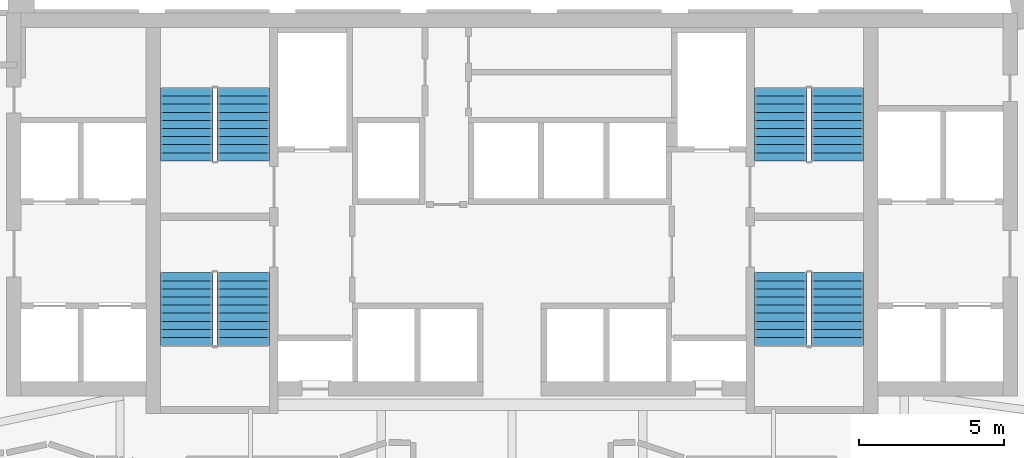
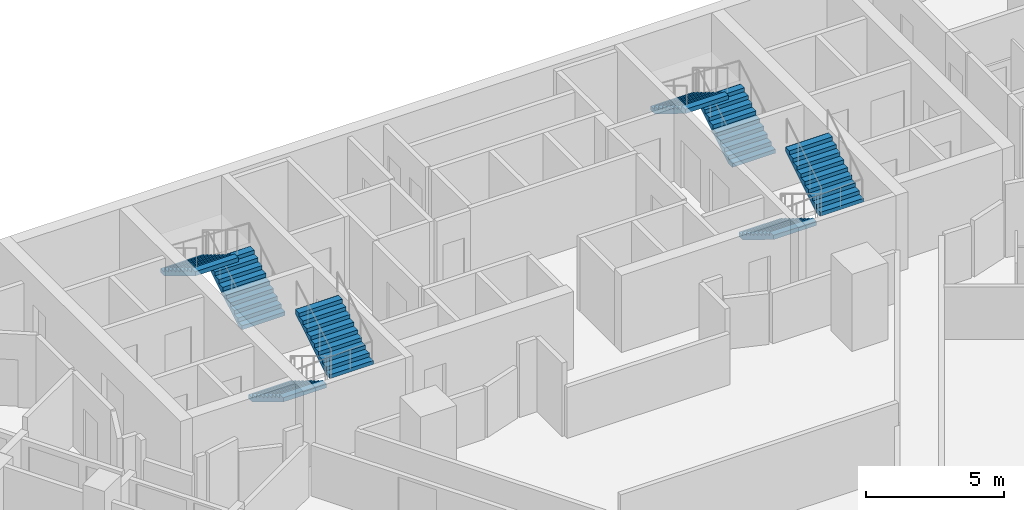
# One storey, part 10 of 11: 8 stair flights, 4 elements without a shape of their own.
"""IFC4 building model written with IfcOpenShell, lengths in metres."""

import ifcopenshell
import ifcopenshell.guid

model = None  # the IFC model being written
_history = None  # IfcOwnerHistory: only IFC2X3 demands one
_inside = {}  # id of a spatial element -> (the spatial element, [elements in it])
_under = {}  # id of a project, library or spatial element -> (it, [spatial elements below it])
_declared = {}  # id of a project -> (the project, [libraries it declares])
_typed = {}  # id of a type object -> (the type object, [elements of that type])
_made_of = {}  # id of a material, layer set ... -> (it, [elements and type objects made of it])


def new_model(schema):
    """Start an empty IFC model of exactly this schema.

    Asked for "IFC4X3", IfcOpenShell would pick the latest addendum, in which some entities
    have other attributes; the version numbers below select the first issue.
    IFC2X3 requires an IfcOwnerHistory on every rooted entity: one is made here for all.
    """
    global model, _history
    if schema == "IFC4X3":
        model = ifcopenshell.file(schema_version=(4, 3, 0, 0))
    else:
        model = ifcopenshell.file(schema=schema)
    _inside.clear()
    _under.clear()
    _declared.clear()
    _typed.clear()
    _made_of.clear()
    _history = None
    if model.schema == "IFC2X3":
        org = make("IfcOrganization", Name="unknown")
        user = make(
            "IfcPersonAndOrganization",
            ThePerson=make("IfcPerson", FamilyName="unknown"),
            TheOrganization=org,
        )
        app = make(
            "IfcApplication",
            ApplicationDeveloper=org,
            Version="unknown",
            ApplicationFullName="unknown",
            ApplicationIdentifier="unknown",
        )
        _history = make(
            "IfcOwnerHistory",
            OwningUser=user,
            OwningApplication=app,
            ChangeAction="ADDED",
            CreationDate=0,
        )
    return model


def make(cls, **values):
    """One entity of the class cls with the attributes given. An attribute that is None is left unset."""
    return model.create_entity(
        cls, **{name: value for name, value in values.items() if value is not None}
    )


def rooted(cls, **values):
    """An entity with a GlobalId (a new one), such as an element, a storey or a relation."""
    return make(cls, GlobalId=ifcopenshell.guid.new(), OwnerHistory=_history, **values)


def si_unit(unit_type, name, prefix=None):
    """IfcSIUnit, for example si_unit("LENGTHUNIT", "METRE", prefix="MILLI")."""
    return make("IfcSIUnit", UnitType=unit_type, Prefix=prefix, Name=name)


def assignment(units):
    """IfcUnitAssignment: the units of a project."""
    return None if units is None else make("IfcUnitAssignment", Units=units)


def point(xyz):
    """IfcCartesianPoint."""
    return None if xyz is None else make("IfcCartesianPoint", Coordinates=xyz)


def direction(xyz):
    """IfcDirection."""
    return None if xyz is None else make("IfcDirection", DirectionRatios=xyz)


def frame(location, z_axis=None, x_axis=None):
    """IfcAxis2Placement3D, a coordinate frame: its origin and axes. An axis left out is left unset."""
    return make(
        "IfcAxis2Placement3D",
        Location=point(location),
        Axis=direction(z_axis),
        RefDirection=direction(x_axis),
    )


def origin():
    """The frame at (0, 0, 0) with its axes left unset."""
    return frame((0.0, 0.0, 0.0))


def place(relative_to, where):
    """IfcLocalPlacement: puts the frame where relative to a parent placement (None: the world)."""
    return make(
        "IfcLocalPlacement", PlacementRelTo=relative_to, RelativePlacement=where
    )


def context(
    kind, dimensions, precision=None, world=None, true_north=None, identifier=None
):
    """IfcGeometricRepresentationContext, for example the 3D "Model" context."""
    return make(
        "IfcGeometricRepresentationContext",
        ContextIdentifier=identifier,
        ContextType=kind,
        CoordinateSpaceDimension=dimensions,
        Precision=precision,
        WorldCoordinateSystem=world,
        TrueNorth=true_north,
    )


def subcontext(parent, identifier, kind, view, scale=None):
    """IfcGeometricRepresentationSubContext, for example "Body" below "Model"."""
    return make(
        "IfcGeometricRepresentationSubContext",
        ContextIdentifier=identifier,
        ContextType=kind,
        ParentContext=parent,
        TargetScale=scale,
        TargetView=view,
    )


def project(units=None, contexts=None):
    """IfcProject with its units and contexts."""
    return rooted(
        "IfcProject",
        Name="project",
        RepresentationContexts=contexts,
        UnitsInContext=assignment(units),
    )


def spatial(cls, under=None, at=None, **own):
    """A site, building, storey or space (cls), placed at a placement, below another one or the project."""
    s = rooted(cls, ObjectPlacement=at, **own)
    if under is not None:
        _under.setdefault(under.id(), (under, []))[1].append(s)
    return s


def faces_of(points, faces, orient=None, outer=None):
    """IfcFace entities. A face is a list of loops; a loop is a list of indices into points, from 0.

    orient and outer hold one flag for each loop. By default every Orientation is true, the
    first loop of a face is its IfcFaceOuterBound and the others are IfcFaceBound.
    """
    made = []
    for i, loops in enumerate(faces):
        bounds = []
        for j, loop in enumerate(loops):
            is_outer = j == 0 if outer is None else outer[i][j]
            bounds.append(
                make(
                    "IfcFaceOuterBound" if is_outer else "IfcFaceBound",
                    Bound=make("IfcPolyLoop", Polygon=[points[k] for k in loop]),
                    Orientation=True if orient is None else orient[i][j],
                )
            )
        made.append(make("IfcFace", Bounds=bounds))
    return made


def faceted_brep(points, faces, orient=None, outer=None, voids=None):
    """IfcFacetedBrep: a solid bounded by flat faces; with voids (closed shells), ...WithVoids."""
    shared = [point(p) for p in points]
    hull = make("IfcClosedShell", CfsFaces=faces_of(shared, faces, orient, outer))
    if voids is None:
        return make("IfcFacetedBrep", Outer=hull)
    return make(
        "IfcFacetedBrepWithVoids",
        Outer=hull,
        Voids=[
            make(cls, CfsFaces=faces_of(shared, fs, o, b)) for cls, fs, o, b in voids
        ],
    )


def shape(context_of_items, identifier, shape_type, items):
    """IfcShapeRepresentation: the items that make up one representation, for example the "Body"."""
    return make(
        "IfcShapeRepresentation",
        ContextOfItems=context_of_items,
        RepresentationIdentifier=identifier,
        RepresentationType=shape_type,
        Items=items,
    )


def source(mapping_origin, context_of_items, identifier, shape_type, items):
    """IfcRepresentationMap: a shape defined once, which mapped items show again and again."""
    return make(
        "IfcRepresentationMap",
        MappingOrigin=mapping_origin,
        MappedRepresentation=shape(context_of_items, identifier, shape_type, items),
    )


def transform(
    local_origin,
    x_axis=None,
    y_axis=None,
    z_axis=None,
    scale=None,
    scale2=None,
    scale3=None,
    uniform=True,
):
    """IfcCartesianTransformationOperator3D, or its non-uniform kind. x_axis, y_axis, z_axis: its Axis1, 2, 3."""
    if uniform:
        return make(
            "IfcCartesianTransformationOperator3D",
            Axis1=direction(x_axis),
            Axis2=direction(y_axis),
            LocalOrigin=point(local_origin),
            Scale=scale,
            Axis3=direction(z_axis),
        )
    return make(
        "IfcCartesianTransformationOperator3DnonUniform",
        Axis1=direction(x_axis),
        Axis2=direction(y_axis),
        LocalOrigin=point(local_origin),
        Scale=scale,
        Axis3=direction(z_axis),
        Scale2=scale2,
        Scale3=scale3,
    )


def mapped(mapping_source, mapping_target):
    """IfcMappedItem: shows the shape of a source again, moved by a transform."""
    return make(
        "IfcMappedItem", MappingSource=mapping_source, MappingTarget=mapping_target
    )


def material(Name=None, Category=None):
    """IfcMaterial."""
    return make("IfcMaterial", Name=Name, Category=Category)


def made_of(thing, what):
    """Note that an element or type object is made of a material, layer set ...; save() writes the relation."""
    if what is not None:
        _made_of.setdefault(what.id(), (what, []))[1].append(thing)
    return thing


def type_object(cls, material=None, **own):
    """A type object (cls), such as IfcWallType, which elements share."""
    return made_of(rooted(cls, **own), material)


def element(
    cls,
    number,
    at=None,
    inside=None,
    cuts=None,
    type_object=None,
    material=None,
    context=None,
    identifier="Body",
    shape_type=None,
    held_by="IfcProductDefinitionShape",
    body=None,
    shapes=None,
    **own,
):
    """One element of the class cls, such as IfcWall. Its Tag is "e" and its number.

    at: its placement. inside: the storey or other place that contains it. cuts: it is an
    opening in that element (IfcRelVoidsElement). A single representation is given by context,
    identifier, shape_type and body (its items); several are given by shapes. held_by: the class
    of the entity that holds the representations. save() writes the other relations.
    """
    e = rooted(cls, Tag="e%d" % number, ObjectPlacement=at, **own)
    if body is not None:
        shapes = [shape(context, identifier, shape_type, body)]
    if shapes is not None:
        e.Representation = make(held_by, Representations=shapes)
    if inside is not None:
        _inside.setdefault(inside.id(), (inside, []))[1].append(e)
    if cuts is not None:
        rooted(
            "IfcRelVoidsElement", RelatingBuildingElement=cuts, RelatedOpeningElement=e
        )
    if type_object is not None:
        _typed.setdefault(type_object.id(), (type_object, []))[1].append(e)
    return made_of(e, material)


def aggregate(whole, parts):
    """IfcRelAggregates: a whole, such as a stair, and the parts it consists of."""
    return rooted("IfcRelAggregates", RelatingObject=whole, RelatedObjects=parts)


def save(model, path):
    """Write the relations noted so far, then the file.

    IfcRelAggregates (storeys below a building ...), IfcRelContainedInSpatialStructure (elements
    in a storey), IfcRelDefinesByType, IfcRelAssociatesMaterial and IfcRelDeclares: one each for
    every whole, place, type object, material and project.
    """
    for whole, parts in _under.values():
        aggregate(whole, parts)
    for where, things in _inside.values():
        rooted(
            "IfcRelContainedInSpatialStructure",
            RelatedElements=things,
            RelatingStructure=where,
        )
    for kind, things in _typed.values():
        rooted("IfcRelDefinesByType", RelatedObjects=things, RelatingType=kind)
    for what, things in _made_of.values():
        rooted("IfcRelAssociatesMaterial", RelatedObjects=things, RelatingMaterial=what)
    for by, libraries in _declared.values():
        rooted("IfcRelDeclares", RelatingContext=by, RelatedDefinitions=libraries)
    model.write(path)


model = new_model("IFC4")

# Units and contexts
model_context = context("Model", 3, precision=1e-05, world=origin(), true_north=direction((0.0, 1.0)))
body_context = subcontext(model_context, "Body", "Model", "MODEL_VIEW")
ifc_project = project(units=[si_unit("LENGTHUNIT", "METRE"), si_unit("AREAUNIT", "SQUARE_METRE"), si_unit("VOLUMEUNIT", "CUBIC_METRE"), si_unit("PLANEANGLEUNIT", "RADIAN"), si_unit("MASSUNIT", "GRAM", prefix="KILO")], contexts=[model_context])

# Site, building, storey
site_placement = place(None, origin())
site = spatial("IfcSite", under=ifc_project, at=site_placement, CompositionType="ELEMENT")
building_placement = place(site_placement, origin())
building = spatial("IfcBuilding", under=site, at=building_placement, Name="Calabash Gate Tower", CompositionType="ELEMENT")
storey_placement = place(building_placement, frame((0.0, 0.0, 125.800048828125)))
storey = spatial("IfcBuildingStorey", under=building, at=storey_placement, Name="L29", CompositionType="ELEMENT", Elevation=125.800048828125)

# Stair, stair flights
ifc_material_1 = material(Name="Concrete C40/50", Category="concrete")
stair_type = type_object("IfcStairType", Name="Exit stair 20 risers of 170 mm", PredefinedType="HALF_TURN_STAIR", material=ifc_material_1)
stair_1_placement = place(storey_placement, origin())
stair_1 = element("IfcStair", 1, at=stair_1_placement, inside=storey, type_object=stair_type, Name="L29 Exit stair ST1", PredefinedType="HALF_TURN_STAIR")
ifc_material_2 = material(Name="Concrete C40/50", Category="concrete")
stair_flight_type = type_object("IfcStairFlightType", Name="Exit stair flight SFL", PredefinedType="STRAIGHT", material=ifc_material_2)
shared_shape = source(origin(), body_context, "Body", "Brep", [
    faceted_brep([(-0.0009765625, -0.89990234375, 0.0), (0.2880859375, -0.89990234375, 0.0), (2.511962890625, -0.89990234375, 1.3544921875), (-0.0009765625, 0.89990234375, 0.0), (2.511962890625, 0.89990234375, 1.3544921875), (0.2880859375, 0.89990234375, 0.0), (2.511962890625, -0.89990234375, 1.5419921875), (2.510986328125, -0.89990234375, 1.5419921875), (2.510986328125, 0.89990234375, 1.5419921875), (2.511962890625, 0.89990234375, 1.5419921875), (2.510986328125, -0.89990234375, 1.530029296875), (2.510986328125, 0.89990234375, 1.530029296875), (2.23193359375, -0.89990234375, 1.530029296875), (2.23193359375, 0.89990234375, 1.530029296875), (2.23193359375, -0.89990234375, 1.360107421875), (2.23193359375, 0.89990234375, 1.360107421875), (1.952880859375, -0.89990234375, 1.360107421875), (1.952880859375, 0.89990234375, 1.360107421875), (1.952880859375, -0.89990234375, 1.18994140625), (1.952880859375, 0.89990234375, 1.18994140625), (1.674072265625, -0.89990234375, 1.18994140625), (1.674072265625, -0.89990234375, 1.02001953125), (1.674072265625, 0.89990234375, 1.02001953125), (1.674072265625, 0.89990234375, 1.18994140625), (1.39501953125, -0.89990234375, 1.02001953125), (1.39501953125, -0.89990234375, 0.85009765625), (1.39501953125, 0.89990234375, 0.85009765625), (1.39501953125, 0.89990234375, 1.02001953125), (1.115966796875, -0.89990234375, 0.85009765625), (1.115966796875, -0.89990234375, 0.679931640625), (1.115966796875, 0.89990234375, 0.679931640625), (1.115966796875, 0.89990234375, 0.85009765625), (0.8369140625, -0.89990234375, 0.679931640625), (0.8369140625, -0.89990234375, 0.510009765625), (0.8369140625, 0.89990234375, 0.510009765625), (0.8369140625, 0.89990234375, 0.679931640625), (0.55810546875, -0.89990234375, 0.510009765625), (0.55810546875, -0.89990234375, 0.340087890625), (0.55810546875, 0.89990234375, 0.340087890625), (0.55810546875, 0.89990234375, 0.510009765625), (0.279052734375, -0.89990234375, 0.340087890625), (0.279052734375, -0.89990234375, 0.169921875), (0.279052734375, 0.89990234375, 0.169921875), (0.279052734375, 0.89990234375, 0.340087890625), (-0.0009765625, -0.89990234375, 0.169921875), (-0.0009765625, 0.89990234375, 0.169921875), (0.2880859375, -0.360107421875, 0.0), (2.511962890625, -0.360107421875, 1.3544921875), (0.2880859375, -0.179931640625, 0.0), (2.511962890625, -0.179931640625, 1.3544921875), (0.2880859375, 0.0, 0.0), (2.511962890625, 0.0, 1.3544921875), (0.2880859375, 0.179931640625, 0.0), (2.511962890625, 0.179931640625, 1.3544921875), (0.2880859375, 0.360107421875, 0.0), (2.511962890625, 0.360107421875, 1.3544921875), (2.511962890625, -0.360107421875, 1.5419921875), (2.511962890625, -0.179931640625, 1.5419921875), (2.511962890625, 0.0, 1.5419921875), (2.511962890625, 0.179931640625, 1.5419921875), (2.511962890625, 0.360107421875, 1.5419921875), (2.510986328125, -0.360107421875, 1.5419921875), (2.510986328125, -0.179931640625, 1.5419921875), (2.510986328125, 0.0, 1.5419921875), (2.510986328125, 0.179931640625, 1.5419921875), (2.510986328125, 0.360107421875, 1.5419921875), (2.510986328125, -0.360107421875, 1.530029296875), (2.510986328125, -0.179931640625, 1.530029296875), (2.510986328125, 0.0, 1.530029296875), (2.510986328125, 0.179931640625, 1.530029296875), (2.510986328125, 0.360107421875, 1.530029296875), (2.23193359375, -0.360107421875, 1.530029296875), (2.23193359375, -0.179931640625, 1.530029296875), (2.23193359375, 0.0, 1.530029296875), (2.23193359375, 0.179931640625, 1.530029296875), (2.23193359375, 0.360107421875, 1.530029296875), (2.23193359375, -0.360107421875, 1.360107421875), (2.23193359375, -0.179931640625, 1.360107421875), (2.23193359375, 0.0, 1.360107421875), (2.23193359375, 0.179931640625, 1.360107421875), (2.23193359375, 0.360107421875, 1.360107421875), (1.952880859375, -0.360107421875, 1.360107421875), (1.952880859375, -0.179931640625, 1.360107421875), (1.952880859375, 0.0, 1.360107421875), (1.952880859375, 0.179931640625, 1.360107421875), (1.952880859375, 0.360107421875, 1.360107421875), (1.952880859375, -0.360107421875, 1.18994140625), (1.952880859375, -0.179931640625, 1.18994140625), (1.952880859375, 0.0, 1.18994140625), (1.952880859375, 0.179931640625, 1.18994140625), (1.952880859375, 0.360107421875, 1.18994140625), (1.674072265625, -0.360107421875, 1.18994140625), (1.674072265625, -0.179931640625, 1.18994140625), (1.674072265625, 0.0, 1.18994140625), (1.674072265625, 0.179931640625, 1.18994140625), (1.674072265625, 0.360107421875, 1.18994140625), (1.674072265625, -0.360107421875, 1.02001953125), (1.674072265625, -0.179931640625, 1.02001953125), (1.674072265625, 0.0, 1.02001953125), (1.674072265625, 0.179931640625, 1.02001953125), (1.674072265625, 0.360107421875, 1.02001953125), (1.39501953125, -0.360107421875, 1.02001953125), (1.39501953125, -0.179931640625, 1.02001953125), (1.39501953125, 0.0, 1.02001953125), (1.39501953125, 0.179931640625, 1.02001953125), (1.39501953125, 0.360107421875, 1.02001953125), (1.39501953125, -0.360107421875, 0.85009765625), (1.39501953125, -0.179931640625, 0.85009765625), (1.39501953125, 0.0, 0.85009765625), (1.39501953125, 0.179931640625, 0.85009765625), (1.39501953125, 0.360107421875, 0.85009765625), (1.115966796875, -0.360107421875, 0.85009765625), (1.115966796875, -0.179931640625, 0.85009765625), (1.115966796875, 0.0, 0.85009765625), (1.115966796875, 0.179931640625, 0.85009765625), (1.115966796875, 0.360107421875, 0.85009765625), (1.115966796875, -0.360107421875, 0.679931640625), (1.115966796875, -0.179931640625, 0.679931640625), (1.115966796875, 0.0, 0.679931640625), (1.115966796875, 0.179931640625, 0.679931640625), (1.115966796875, 0.360107421875, 0.679931640625), (0.8369140625, -0.360107421875, 0.679931640625), (0.8369140625, -0.179931640625, 0.679931640625), (0.8369140625, 0.0, 0.679931640625), (0.8369140625, 0.179931640625, 0.679931640625), (0.8369140625, 0.360107421875, 0.679931640625), (0.8369140625, -0.360107421875, 0.510009765625), (0.8369140625, -0.179931640625, 0.510009765625), (0.8369140625, 0.0, 0.510009765625), (0.8369140625, 0.179931640625, 0.510009765625), (0.8369140625, 0.360107421875, 0.510009765625), (0.55810546875, -0.360107421875, 0.510009765625), (0.55810546875, -0.179931640625, 0.510009765625), (0.55810546875, 0.0, 0.510009765625), (0.55810546875, 0.179931640625, 0.510009765625), (0.55810546875, 0.360107421875, 0.510009765625), (0.55810546875, -0.360107421875, 0.340087890625), (0.55810546875, -0.179931640625, 0.340087890625), (0.55810546875, 0.0, 0.340087890625), (0.55810546875, 0.179931640625, 0.340087890625), (0.55810546875, 0.360107421875, 0.340087890625), (0.279052734375, -0.360107421875, 0.340087890625), (0.279052734375, -0.179931640625, 0.340087890625), (0.279052734375, 0.0, 0.340087890625), (0.279052734375, 0.179931640625, 0.340087890625), (0.279052734375, 0.360107421875, 0.340087890625), (0.279052734375, -0.360107421875, 0.169921875), (0.279052734375, -0.179931640625, 0.169921875), (0.279052734375, 0.0, 0.169921875), (0.279052734375, 0.179931640625, 0.169921875), (0.279052734375, 0.360107421875, 0.169921875), (-0.0009765625, -0.360107421875, 0.169921875), (-0.0009765625, -0.179931640625, 0.169921875), (-0.0009765625, 0.0, 0.169921875), (-0.0009765625, 0.179931640625, 0.169921875), (-0.0009765625, 0.360107421875, 0.169921875), (-0.0009765625, -0.360107421875, 0.0), (-0.0009765625, -0.179931640625, 0.0), (-0.0009765625, 0.0, 0.0), (-0.0009765625, 0.179931640625, 0.0), (-0.0009765625, 0.360107421875, 0.0)], [[[0, 1, 2]], [[3, 4, 5]], [[2, 6, 7]], [[4, 8, 9]], [[2, 7, 10]], [[4, 11, 8]], [[2, 10, 12]], [[4, 13, 11]], [[2, 12, 14]], [[4, 15, 13]], [[2, 14, 16]], [[4, 17, 15]], [[2, 16, 18]], [[4, 19, 17]], [[18, 20, 21]], [[19, 22, 23]], [[2, 18, 21]], [[4, 22, 19]], [[21, 24, 25]], [[22, 26, 27]], [[2, 21, 25]], [[4, 26, 22]], [[25, 28, 29]], [[26, 30, 31]], [[2, 25, 29]], [[4, 30, 26]], [[29, 32, 33]], [[30, 34, 35]], [[2, 29, 33]], [[4, 34, 30]], [[33, 36, 37]], [[34, 38, 39]], [[2, 33, 37]], [[4, 38, 34]], [[37, 40, 41]], [[38, 42, 43]], [[2, 37, 41]], [[4, 42, 38]], [[0, 2, 41]], [[3, 42, 4]], [[41, 44, 0]], [[42, 3, 45]], [[1, 46, 2]], [[46, 47, 2]], [[46, 48, 47]], [[48, 49, 47]], [[48, 50, 49]], [[50, 51, 49]], [[50, 52, 53]], [[50, 53, 51]], [[52, 54, 55]], [[52, 55, 53]], [[54, 5, 4]], [[54, 4, 55]], [[2, 47, 6]], [[47, 56, 6]], [[47, 49, 56]], [[49, 57, 56]], [[49, 51, 57]], [[51, 58, 57]], [[51, 53, 59]], [[51, 59, 58]], [[53, 55, 60]], [[53, 60, 59]], [[55, 4, 9]], [[55, 9, 60]], [[6, 56, 7]], [[56, 61, 7]], [[56, 57, 61]], [[57, 62, 61]], [[57, 58, 62]], [[58, 63, 62]], [[58, 59, 64]], [[58, 64, 63]], [[59, 60, 65]], [[59, 65, 64]], [[60, 9, 8]], [[60, 8, 65]], [[7, 61, 10]], [[61, 66, 10]], [[61, 62, 66]], [[62, 67, 66]], [[62, 63, 67]], [[63, 68, 67]], [[63, 64, 69]], [[63, 69, 68]], [[64, 65, 70]], [[64, 70, 69]], [[65, 8, 11]], [[65, 11, 70]], [[10, 66, 12]], [[66, 71, 12]], [[66, 67, 71]], [[67, 72, 71]], [[67, 68, 72]], [[68, 73, 72]], [[68, 69, 74]], [[68, 74, 73]], [[69, 70, 75]], [[69, 75, 74]], [[70, 11, 13]], [[70, 13, 75]], [[12, 71, 14]], [[71, 76, 14]], [[71, 72, 76]], [[72, 77, 76]], [[72, 73, 77]], [[73, 78, 77]], [[73, 74, 79]], [[73, 79, 78]], [[74, 75, 80]], [[74, 80, 79]], [[75, 13, 15]], [[75, 15, 80]], [[14, 76, 16]], [[76, 81, 16]], [[76, 77, 81]], [[77, 82, 81]], [[77, 78, 82]], [[78, 83, 82]], [[78, 79, 84]], [[78, 84, 83]], [[79, 80, 85]], [[79, 85, 84]], [[80, 15, 17]], [[80, 17, 85]], [[16, 81, 18]], [[81, 86, 18]], [[81, 82, 86]], [[82, 87, 86]], [[82, 83, 87]], [[83, 88, 87]], [[83, 84, 89]], [[83, 89, 88]], [[84, 85, 90]], [[84, 90, 89]], [[85, 17, 19]], [[85, 19, 90]], [[18, 86, 20]], [[86, 91, 20]], [[86, 87, 91]], [[87, 92, 91]], [[87, 88, 92]], [[88, 93, 92]], [[88, 89, 94]], [[88, 94, 93]], [[89, 90, 95]], [[89, 95, 94]], [[90, 19, 23]], [[90, 23, 95]], [[20, 91, 21]], [[91, 96, 21]], [[91, 92, 96]], [[92, 97, 96]], [[92, 93, 97]], [[93, 98, 97]], [[93, 94, 99]], [[93, 99, 98]], [[94, 95, 100]], [[94, 100, 99]], [[95, 23, 22]], [[95, 22, 100]], [[21, 96, 24]], [[96, 101, 24]], [[96, 97, 101]], [[97, 102, 101]], [[97, 98, 102]], [[98, 103, 102]], [[98, 99, 104]], [[98, 104, 103]], [[99, 100, 105]], [[99, 105, 104]], [[100, 22, 27]], [[100, 27, 105]], [[24, 101, 25]], [[101, 106, 25]], [[101, 102, 106]], [[102, 107, 106]], [[102, 103, 107]], [[103, 108, 107]], [[103, 104, 109]], [[103, 109, 108]], [[104, 105, 110]], [[104, 110, 109]], [[105, 27, 26]], [[105, 26, 110]], [[25, 106, 28]], [[106, 111, 28]], [[106, 107, 111]], [[107, 112, 111]], [[107, 108, 112]], [[108, 113, 112]], [[108, 109, 114]], [[108, 114, 113]], [[109, 110, 115]], [[109, 115, 114]], [[110, 26, 31]], [[110, 31, 115]], [[28, 111, 29]], [[111, 116, 29]], [[111, 112, 116]], [[112, 117, 116]], [[112, 113, 117]], [[113, 118, 117]], [[113, 114, 119]], [[113, 119, 118]], [[114, 115, 120]], [[114, 120, 119]], [[115, 31, 30]], [[115, 30, 120]], [[29, 116, 32]], [[116, 121, 32]], [[116, 117, 121]], [[117, 122, 121]], [[117, 118, 122]], [[118, 123, 122]], [[118, 119, 124]], [[118, 124, 123]], [[119, 120, 125]], [[119, 125, 124]], [[120, 30, 35]], [[120, 35, 125]], [[32, 121, 33]], [[121, 126, 33]], [[121, 122, 126]], [[122, 127, 126]], [[122, 123, 127]], [[123, 128, 127]], [[123, 124, 129]], [[123, 129, 128]], [[124, 125, 130]], [[124, 130, 129]], [[125, 35, 34]], [[125, 34, 130]], [[33, 126, 36]], [[126, 131, 36]], [[126, 127, 131]], [[127, 132, 131]], [[127, 128, 132]], [[128, 133, 132]], [[128, 129, 134]], [[128, 134, 133]], [[129, 130, 135]], [[129, 135, 134]], [[130, 34, 39]], [[130, 39, 135]], [[36, 131, 37]], [[131, 136, 37]], [[131, 132, 136]], [[132, 137, 136]], [[132, 133, 137]], [[133, 138, 137]], [[133, 134, 139]], [[133, 139, 138]], [[134, 135, 140]], [[134, 140, 139]], [[135, 39, 38]], [[135, 38, 140]], [[37, 136, 40]], [[136, 141, 40]], [[136, 137, 141]], [[137, 142, 141]], [[137, 138, 142]], [[138, 143, 142]], [[138, 139, 144]], [[138, 144, 143]], [[139, 140, 145]], [[139, 145, 144]], [[140, 38, 43]], [[140, 43, 145]], [[40, 141, 41]], [[141, 146, 41]], [[141, 142, 146]], [[142, 147, 146]], [[142, 143, 147]], [[143, 148, 147]], [[143, 144, 149]], [[143, 149, 148]], [[144, 145, 150]], [[144, 150, 149]], [[145, 43, 42]], [[145, 42, 150]], [[41, 146, 44]], [[146, 151, 44]], [[146, 147, 151]], [[147, 152, 151]], [[147, 148, 152]], [[148, 153, 152]], [[148, 149, 154]], [[148, 154, 153]], [[149, 150, 155]], [[149, 155, 154]], [[150, 42, 45]], [[150, 45, 155]], [[44, 151, 0]], [[151, 156, 0]], [[151, 152, 156]], [[152, 157, 156]], [[152, 153, 157]], [[153, 158, 157]], [[153, 154, 159]], [[153, 159, 158]], [[154, 155, 160]], [[154, 160, 159]], [[155, 45, 3]], [[155, 3, 160]], [[0, 156, 1]], [[156, 46, 1]], [[156, 157, 46]], [[157, 48, 46]], [[157, 158, 48]], [[158, 50, 48]], [[158, 159, 52]], [[158, 52, 50]], [[159, 160, 54]], [[159, 54, 52]], [[160, 3, 5]], [[160, 5, 54]]]),
])
stair_flight_1_placement = place(storey_placement, frame((-9.25, 13.95263671875, 0.0), z_axis=(0.0, 0.0, 1.0), x_axis=(0.0, 1.0, 0.0)))
stair_flight_1 = element("IfcStairFlight", 2, at=stair_flight_1_placement, type_object=stair_flight_type, Name="ST1 flight 1", NumberOfRisers=10, NumberOfTreads=9, PredefinedType="STRAIGHT", RiserHeight=0.17, TreadLength=0.279, context=body_context, shape_type="MappedRepresentation", body=[
    mapped(shared_shape, transform((0.0, 0.0, 0.0), scale=1.0)),
])
stair_flight_2_placement = place(storey_placement, frame((-11.199951171875, 16.463623046875, 1.699951171875), z_axis=(0.0, 0.0, 1.0), x_axis=(0.0, -1.0, 0.0)))
stair_flight_2 = element("IfcStairFlight", 3, at=stair_flight_2_placement, type_object=stair_flight_type, Name="ST1 flight 2", NumberOfRisers=10, NumberOfTreads=9, PredefinedType="STRAIGHT", RiserHeight=0.17, TreadLength=0.279, context=body_context, shape_type="MappedRepresentation", body=[
    mapped(shared_shape, transform((0.0, 0.0, 0.0), scale=1.0)),
])
aggregate(stair_1, [stair_flight_1, stair_flight_2])

stair_2_placement = place(storey_placement, origin())
stair_2 = element("IfcStair", 4, at=stair_2_placement, inside=storey, type_object=stair_type, Name="L29 Exit stair ST2", PredefinedType="HALF_TURN_STAIR")
stair_flight_3_placement = place(storey_placement, frame((-11.199951171875, 10.1025390625, 0.0), z_axis=(0.0, 0.0, 1.0), x_axis=(0.0, -1.0, 0.0)))
stair_flight_3 = element("IfcStairFlight", 5, at=stair_flight_3_placement, type_object=stair_flight_type, Name="ST2 flight 1", NumberOfRisers=10, NumberOfTreads=9, PredefinedType="STRAIGHT", RiserHeight=0.17, TreadLength=0.279, context=body_context, shape_type="MappedRepresentation", body=[
    mapped(shared_shape, transform((0.0, 0.0, 0.0), scale=1.0)),
])
stair_flight_4_placement = place(storey_placement, frame((-9.25, 7.591552734375, 1.699951171875), z_axis=(0.0, 0.0, 1.0), x_axis=(0.0, 1.0, 0.0)))
stair_flight_4 = element("IfcStairFlight", 6, at=stair_flight_4_placement, type_object=stair_flight_type, Name="ST2 flight 2", NumberOfRisers=10, NumberOfTreads=9, PredefinedType="STRAIGHT", RiserHeight=0.17, TreadLength=0.279, context=body_context, shape_type="MappedRepresentation", body=[
    mapped(shared_shape, transform((0.0, 0.0, 0.0), scale=1.0)),
])
aggregate(stair_2, [stair_flight_3, stair_flight_4])

stair_3_placement = place(storey_placement, origin())
stair_3 = element("IfcStair", 7, at=stair_3_placement, inside=storey, type_object=stair_type, Name="L29 Exit stair ST3", PredefinedType="HALF_TURN_STAIR")
stair_flight_5_placement = place(storey_placement, frame((11.199951171875, 13.95263671875, 0.0), z_axis=(0.0, 0.0, 1.0), x_axis=(0.0, 1.0, 0.0)))
stair_flight_5 = element("IfcStairFlight", 8, at=stair_flight_5_placement, type_object=stair_flight_type, Name="ST3 flight 1", NumberOfRisers=10, NumberOfTreads=9, PredefinedType="STRAIGHT", RiserHeight=0.17, TreadLength=0.279, context=body_context, shape_type="MappedRepresentation", body=[
    mapped(shared_shape, transform((0.0, 0.0, 0.0), scale=1.0)),
])
stair_flight_6_placement = place(storey_placement, frame((9.25, 16.463623046875, 1.699951171875), z_axis=(0.0, 0.0, 1.0), x_axis=(0.0, -1.0, 0.0)))
stair_flight_6 = element("IfcStairFlight", 9, at=stair_flight_6_placement, type_object=stair_flight_type, Name="ST3 flight 2", NumberOfRisers=10, NumberOfTreads=9, PredefinedType="STRAIGHT", RiserHeight=0.17, TreadLength=0.279, context=body_context, shape_type="MappedRepresentation", body=[
    mapped(shared_shape, transform((0.0, 0.0, 0.0), scale=1.0)),
])
aggregate(stair_3, [stair_flight_5, stair_flight_6])

stair_4_placement = place(storey_placement, origin())
stair_4 = element("IfcStair", 10, at=stair_4_placement, inside=storey, type_object=stair_type, Name="L29 Exit stair ST4", PredefinedType="HALF_TURN_STAIR")
stair_flight_7_placement = place(storey_placement, frame((9.25, 10.1025390625, 0.0), z_axis=(0.0, 0.0, 1.0), x_axis=(0.0, -1.0, 0.0)))
stair_flight_7 = element("IfcStairFlight", 11, at=stair_flight_7_placement, type_object=stair_flight_type, Name="ST4 flight 1", NumberOfRisers=10, NumberOfTreads=9, PredefinedType="STRAIGHT", RiserHeight=0.17, TreadLength=0.279, context=body_context, shape_type="MappedRepresentation", body=[
    mapped(shared_shape, transform((0.0, 0.0, 0.0), scale=1.0)),
])
stair_flight_8_placement = place(storey_placement, frame((11.199951171875, 7.591552734375, 1.699951171875), z_axis=(0.0, 0.0, 1.0), x_axis=(0.0, 1.0, 0.0)))
stair_flight_8 = element("IfcStairFlight", 12, at=stair_flight_8_placement, type_object=stair_flight_type, Name="ST4 flight 2", NumberOfRisers=10, NumberOfTreads=9, PredefinedType="STRAIGHT", RiserHeight=0.17, TreadLength=0.279, context=body_context, shape_type="MappedRepresentation", body=[
    mapped(shared_shape, transform((0.0, 0.0, 0.0), scale=1.0)),
])
aggregate(stair_4, [stair_flight_7, stair_flight_8])

save(model, "model.ifc")
